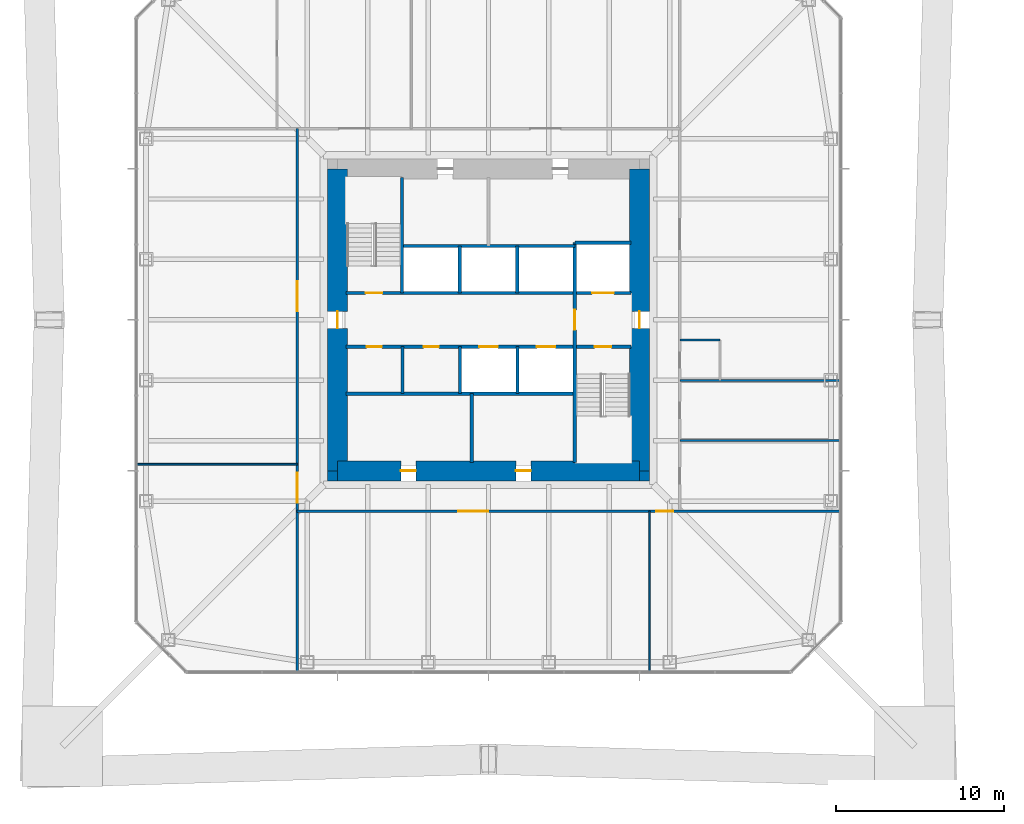
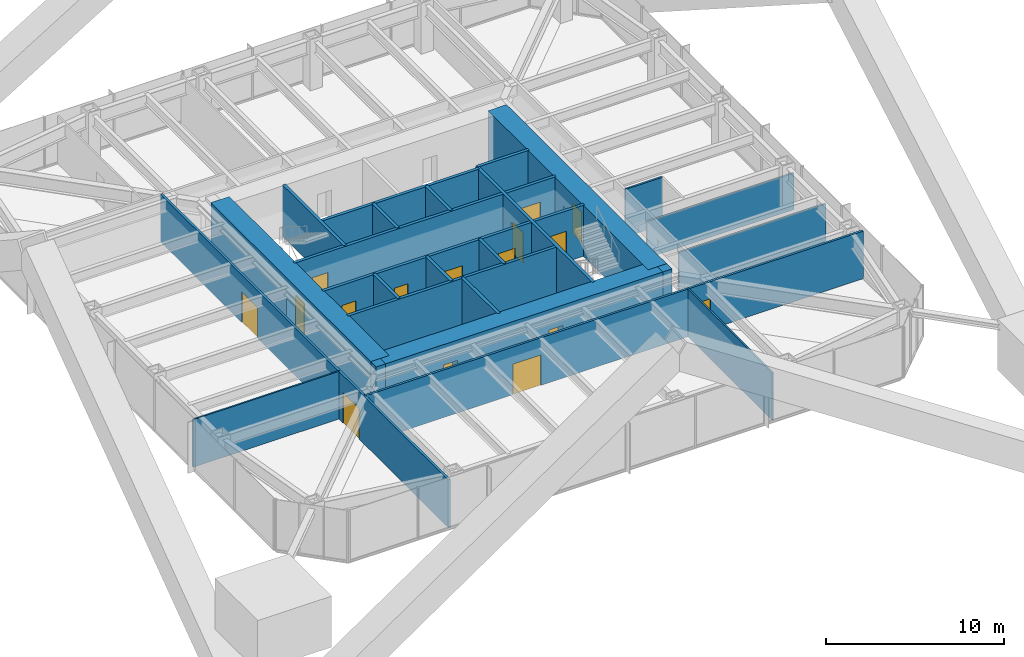
# One storey, part 12 of 21: 25 walls, 16 doors, 16 openings.
"""IFC4 building model written with IfcOpenShell, lengths in metres."""

from ifc_helpers import new_model, si_unit, direction, frame, frame_2d, origin, place, context, subcontext, project, spatial, rectangle, extrude, material, layer, layer_set, type_object, element, fill, save


model = new_model("IFC4")

# Units and contexts
model_context = context("Model", 3, precision=1e-05, world=origin(), true_north=direction((0.0, 1.0)))
body_context = subcontext(model_context, "Body", "Model", "MODEL_VIEW")
ifc_project = project(units=[si_unit("LENGTHUNIT", "METRE"), si_unit("AREAUNIT", "SQUARE_METRE"), si_unit("VOLUMEUNIT", "CUBIC_METRE"), si_unit("PLANEANGLEUNIT", "RADIAN"), si_unit("MASSUNIT", "GRAM", prefix="KILO")], contexts=[model_context])

# Site, building, storey
site_placement = place(None, origin())
site = spatial("IfcSite", under=ifc_project, at=site_placement, CompositionType="ELEMENT")
building_placement = place(site_placement, origin())
building = spatial("IfcBuilding", under=site, at=building_placement, Name="Iwan Alto Co-Living Towers", CompositionType="ELEMENT")
storey_placement = place(building_placement, frame((0.0, 0.0, 80.5)))
storey = spatial("IfcBuildingStorey", under=building, at=storey_placement, Name="L21", CompositionType="ELEMENT", Elevation=80.5)

# Wall, openings, doors
ifc_material_1 = material(Name="Gypsum board")
ifc_layer_1 = layer(ifc_material_1, 0.02490234375, Name="Board", Category="Finish")
ifc_material_2 = material(Name="Steel ASTM A1003 ST33H cold-formed studs", Category="steel")
ifc_layer_2 = layer(ifc_material_2, 0.10009765625, Name="Studs", Category="Framing")
ifc_layer_3 = layer(ifc_material_1, 0.02490234375, Name="Board", Category="Finish")
ifc_layer_set_1 = layer_set([ifc_layer_1, ifc_layer_2, ifc_layer_3], Name="CORRIDOR WALL 150")
wall_type_1 = type_object("IfcWallType", Name="CORRIDOR WALL 150", PredefinedType="PARTITIONING", material=ifc_layer_set_1)
wall_1_placement = place(storey_placement, frame((-11.39990234375, -11.39990234375, 0.0), z_axis=(0.0, 0.0, 1.0), x_axis=(1.0, 0.0, 0.0)))
wall_1 = element("IfcWall", 1, at=wall_1_placement, inside=storey, type_object=wall_type_1, Name="Partition L21", PredefinedType="PARTITIONING", context=body_context, shape_type="SweptSolid", body=[
    extrude(rectangle(XDim=32.33984375, YDim=0.14990234375, at=frame_2d((16.169921875, 0.0))), origin(), (0.0, 0.0, 1.0), 3.27001953125),
])
opening_1_placement = place(wall_1_placement, frame((9.60009765625, 0.0, 0.0)))
opening_1 = element("IfcOpeningElement", 2, at=opening_1_placement, cuts=wall_1, Name="Opening D9", PredefinedType="OPENING", context=body_context, shape_type="SweptSolid", body=[
    extrude(rectangle(XDim=1.800048828125, YDim=2.10009765625, at=frame_2d((0.89990234375, 1.050048828125))), frame((0.0, 0.0849609375, 0.0), z_axis=(0.0, -1.0, 0.0), x_axis=(1.0, 0.0, 0.0)), (0.0, 0.0, 1.0), 0.169921875),
])
opening_2_placement = place(wall_1_placement, frame((21.39990234375, 0.0, 0.0)))
opening_2 = element("IfcOpeningElement", 3, at=opening_2_placement, cuts=wall_1, Name="Opening D3", PredefinedType="OPENING", context=body_context, shape_type="SweptSolid", body=[
    extrude(rectangle(XDim=1.0, YDim=2.10009765625, at=frame_2d((0.5, 1.050048828125))), frame((0.0, 0.0849609375, 0.0), z_axis=(0.0, -1.0, 0.0), x_axis=(1.0, 0.0, 0.0)), (0.0, 0.0, 1.0), 0.169921875),
])
ifc_material_3 = material(Name="Steel frame with timber leaf", Category="steel")
door_type_1 = type_object("IfcDoorType", Name="FLAT ENTRANCE DOOR FD30S 1000X2100", OperationType="SINGLE_SWING_LEFT", PredefinedType="DOOR", material=ifc_material_3)
door_1_placement = place(opening_2_placement, frame((1.0, 0.0, 0.0), z_axis=(0.0, 0.0, 1.0), x_axis=(-1.0, 0.0, 0.0)))
door_1 = element("IfcDoor", 4, at=door_1_placement, inside=storey, type_object=door_type_1, Name="Library door L21", OperationType="SINGLE_SWING_RIGHT", OverallHeight=2.10009765625, OverallWidth=1.0, PredefinedType="DOOR", context=body_context, shape_type="SweptSolid", body=[
    extrude(rectangle(XDim=1.0, YDim=2.10009765625, at=frame_2d((0.5, 1.050048828125))), frame((0.0, 0.02490234375, 0.0), z_axis=(0.0, -1.0, 0.0), x_axis=(1.0, 0.0, 0.0)), (0.0, 0.0, 1.0), 0.050048828125),
])
fill(opening_2, door_1)
ifc_material_4 = material(Name="Steel frame with timber leaf", Category="steel")
door_type_2 = type_object("IfcDoorType", Name="LOUNGE DOOR FD30S 1800X2100", OperationType="DOUBLE_DOOR_SINGLE_SWING", PredefinedType="DOOR", material=ifc_material_4)
door_2_placement = place(opening_1_placement, frame((1.800048828125, 0.0, 0.0), z_axis=(0.0, 0.0, 1.0), x_axis=(-1.0, 0.0, 0.0)))
door_2 = element("IfcDoor", 5, at=door_2_placement, inside=storey, type_object=door_type_2, Name="Social sky lounge door L21", OperationType="DOUBLE_DOOR_SINGLE_SWING", OverallHeight=2.10009765625, OverallWidth=1.800048828125, PredefinedType="DOOR", context=body_context, shape_type="SweptSolid", body=[
    extrude(rectangle(XDim=1.800048828125, YDim=2.10009765625, at=frame_2d((0.89990234375, 1.050048828125))), frame((0.0, 0.02490234375, 0.0), z_axis=(0.0, -1.0, 0.0), x_axis=(1.0, 0.0, 0.0)), (0.0, 0.0, 1.0), 0.050048828125),
])
fill(opening_1, door_2)

wall_2_placement = place(storey_placement, frame((-11.39990234375, -20.93994140625, 0.0), z_axis=(0.0, 0.0, 1.0), x_axis=(0.0, 1.0, 0.0)))
wall_2 = element("IfcWall", 6, at=wall_2_placement, inside=storey, type_object=wall_type_1, Name="Partition L21", PredefinedType="PARTITIONING", context=body_context, shape_type="SweptSolid", body=[
    extrude(rectangle(XDim=32.33984375, YDim=0.14990234375, at=frame_2d((16.169921875, 0.0))), origin(), (0.0, 0.0, 1.0), 3.27001953125),
])
opening_3_placement = place(wall_2_placement, frame((21.43994140625, 0.0, 0.0)))
opening_3 = element("IfcOpeningElement", 7, at=opening_3_placement, cuts=wall_2, Name="Opening D9", PredefinedType="OPENING", context=body_context, shape_type="SweptSolid", body=[
    extrude(rectangle(XDim=1.800048828125, YDim=2.10009765625, at=frame_2d((0.89990234375, 1.050048828125))), frame((0.0, 0.0849609375, 0.0), z_axis=(0.0, -1.0, 0.0), x_axis=(1.0, 0.0, 0.0)), (0.0, 0.0, 1.0), 0.169921875),
])
opening_4_placement = place(wall_2_placement, frame((10.0400390625, 0.0, 0.0)))
opening_4 = element("IfcOpeningElement", 8, at=opening_4_placement, cuts=wall_2, Name="Opening D9", PredefinedType="OPENING", context=body_context, shape_type="SweptSolid", body=[
    extrude(rectangle(XDim=1.800048828125, YDim=2.10009765625, at=frame_2d((0.89990234375, 1.050048828125))), frame((0.0, 0.0849609375, 0.0), z_axis=(0.0, -1.0, 0.0), x_axis=(1.0, 0.0, 0.0)), (0.0, 0.0, 1.0), 0.169921875),
])
door_3_placement = place(opening_3_placement, origin())
door_3 = element("IfcDoor", 9, at=door_3_placement, inside=storey, type_object=door_type_2, Name="Residents' dining room door L21", OperationType="DOUBLE_DOOR_SINGLE_SWING", OverallHeight=2.10009765625, OverallWidth=1.800048828125, PredefinedType="DOOR", context=body_context, shape_type="SweptSolid", body=[
    extrude(rectangle(XDim=1.800048828125, YDim=2.10009765625, at=frame_2d((0.89990234375, 1.050048828125))), frame((0.0, 0.02490234375, 0.0), z_axis=(0.0, -1.0, 0.0), x_axis=(1.0, 0.0, 0.0)), (0.0, 0.0, 1.0), 0.050048828125),
])
fill(opening_3, door_3)
door_4_placement = place(opening_4_placement, origin())
door_4 = element("IfcDoor", 10, at=door_4_placement, inside=storey, type_object=door_type_2, Name="Shared kitchen door L21", OperationType="DOUBLE_DOOR_SINGLE_SWING", OverallHeight=2.10009765625, OverallWidth=1.800048828125, PredefinedType="DOOR", context=body_context, shape_type="SweptSolid", body=[
    extrude(rectangle(XDim=1.800048828125, YDim=2.10009765625, at=frame_2d((0.89990234375, 1.050048828125))), frame((0.0, 0.02490234375, 0.0), z_axis=(0.0, -1.0, 0.0), x_axis=(1.0, 0.0, 0.0)), (0.0, 0.0, 1.0), 0.050048828125),
])
fill(opening_4, door_4)

# Walls
ifc_layer_4 = layer(ifc_material_1, 0.012451171875, Name="Board", Category="Finish")
ifc_layer_5 = layer(ifc_material_2, 0.074951171875, Name="Studs", Category="Framing")
ifc_layer_6 = layer(ifc_material_1, 0.012451171875, Name="Board", Category="Finish")
ifc_layer_set_2 = layer_set([ifc_layer_4, ifc_layer_5, ifc_layer_6], Name="PARTITION 100")
wall_type_2 = type_object("IfcWallType", Name="PARTITION 100", PredefinedType="PARTITIONING", material=ifc_layer_set_2)
for number, where, z_axis, x_axis, name in (
    (11, (-20.93994140625, -8.60009765625, 0.0), (0.0, 0.0, 1.0), (1.0, 0.0, 0.0), "Partition L21"),
    (12, (9.60009765625, -20.93994140625, 0.0), (0.0, 0.0, 1.0), (0.0, 1.0, 0.0), "Partition L21"),
):
    element("IfcWall", number, at=place(storey_placement, frame(where, z_axis=z_axis, x_axis=x_axis)), inside=storey, type_object=wall_type_2, Name=name, PredefinedType="PARTITIONING", context=body_context, shape_type="SweptSolid", body=[
        extrude(rectangle(XDim=9.5400390625, YDim=0.10009765625, at=frame_2d((4.77001953125, 0.0))), origin(), (0.0, 0.0, 1.0), 3.27001953125),
    ])
ifc_material_5 = material(Name="Concrete f'c 70 MPa", Category="concrete")
ifc_layer_7 = layer(ifc_material_5, 0.199951171875)
ifc_layer_set_3 = layer_set([ifc_layer_7], Name="SHAFT WALL 200")
wall_type_3 = type_object("IfcWallType", Name="SHAFT WALL 200", PredefinedType="SOLIDWALL", material=ifc_layer_set_3)
wall_3_placement = place(storey_placement, frame((-8.489990234375, -4.39990234375, 0.0), z_axis=(0.0, 0.0, 1.0), x_axis=(1.0, 0.0, 0.0)))
element("IfcWall", 13, at=wall_3_placement, inside=storey, type_object=wall_type_3, Name="Shaft wall L21", PredefinedType="SOLIDWALL", context=body_context, shape_type="SweptSolid", body=[
    extrude(rectangle(XDim=13.639892578125, YDim=0.199951171875, at=frame_2d((6.81982421875, 0.0))), origin(), (0.0, 0.0, 1.0), 3.5),
])

# Wall, openings, doors
wall_4_placement = place(storey_placement, frame((-8.489990234375, -1.60009765625, 0.0), z_axis=(0.0, 0.0, 1.0), x_axis=(1.0, 0.0, 0.0)))
wall_4 = element("IfcWall", 14, at=wall_4_placement, inside=storey, type_object=wall_type_3, Name="Shaft wall L21", PredefinedType="SOLIDWALL", context=body_context, shape_type="SweptSolid", body=[
    extrude(rectangle(XDim=16.97998046875, YDim=0.199951171875, at=frame_2d((8.489990234375, 0.0))), origin(), (0.0, 0.0, 1.0), 3.5),
])
opening_5_placement = place(wall_4_placement, frame((14.81005859375, 0.0, 0.0)))
opening_5 = element("IfcOpeningElement", 15, at=opening_5_placement, cuts=wall_4, Name="Opening D5", PredefinedType="OPENING", context=body_context, shape_type="SweptSolid", body=[
    extrude(rectangle(XDim=1.0, YDim=2.10009765625, at=frame_2d((0.5, 1.050048828125))), frame((0.0, 0.10986328125, 0.0), z_axis=(0.0, -1.0, 0.0), x_axis=(1.0, 0.0, 0.0)), (0.0, 0.0, 1.0), 0.219970703125),
])
opening_6_placement = place(wall_4_placement, frame((1.23193359375, 0.0, 0.0)))
opening_6 = element("IfcOpeningElement", 16, at=opening_6_placement, cuts=wall_4, Name="Opening D15", PredefinedType="OPENING", context=body_context, shape_type="SweptSolid", body=[
    extrude(rectangle(XDim=0.89990234375, YDim=2.10009765625, at=frame_2d((0.449951171875, 1.050048828125))), frame((0.0, 0.10986328125, 0.0), z_axis=(0.0, -1.0, 0.0), x_axis=(1.0, 0.0, 0.0)), (0.0, 0.0, 1.0), 0.219970703125),
])
opening_7_placement = place(wall_4_placement, frame((4.626953125, 0.0, 0.0)))
opening_7 = element("IfcOpeningElement", 17, at=opening_7_placement, cuts=wall_4, Name="Opening D15", PredefinedType="OPENING", context=body_context, shape_type="SweptSolid", body=[
    extrude(rectangle(XDim=0.89990234375, YDim=2.10009765625, at=frame_2d((0.449951171875, 1.050048828125))), frame((0.0, 0.10986328125, 0.0), z_axis=(0.0, -1.0, 0.0), x_axis=(1.0, 0.0, 0.0)), (0.0, 0.0, 1.0), 0.219970703125),
])
opening_8_placement = place(wall_4_placement, frame((7.952880859375, 0.0, 0.0)))
opening_8 = element("IfcOpeningElement", 18, at=opening_8_placement, cuts=wall_4, Name="Opening LD", PredefinedType="OPENING", context=body_context, shape_type="SweptSolid", body=[
    extrude(rectangle(XDim=1.10009765625, YDim=2.10009765625, at=frame_2d((0.550048828125, 1.050048828125))), frame((0.0, 0.10986328125, 0.0), z_axis=(0.0, -1.0, 0.0), x_axis=(1.0, 0.0, 0.0)), (0.0, 0.0, 1.0), 0.219970703125),
])
opening_9_placement = place(wall_4_placement, frame((11.3779296875, 0.0, 0.0)))
opening_9 = element("IfcOpeningElement", 19, at=opening_9_placement, cuts=wall_4, Name="Opening LD", PredefinedType="OPENING", context=body_context, shape_type="SweptSolid", body=[
    extrude(rectangle(XDim=1.10009765625, YDim=2.10009765625, at=frame_2d((0.550048828125, 1.050048828125))), frame((0.0, 0.10986328125, 0.0), z_axis=(0.0, -1.0, 0.0), x_axis=(1.0, 0.0, 0.0)), (0.0, 0.0, 1.0), 0.219970703125),
])
ifc_material_6 = material(Name="Steel frame with timber leaf", Category="steel")
door_type_3 = type_object("IfcDoorType", Name="CORE ROOM DOOR FD60S 900X2100", OperationType="SINGLE_SWING_LEFT", PredefinedType="DOOR", material=ifc_material_6)
door_5_placement = place(opening_6_placement, frame((0.89990234375, 0.0, 0.0), z_axis=(0.0, 0.0, 1.0), x_axis=(-1.0, 0.0, 0.0)))
door_5 = element("IfcDoor", 20, at=door_5_placement, inside=storey, type_object=door_type_3, Name="Guest pantry door L21", OperationType="SINGLE_SWING_LEFT", OverallHeight=2.10009765625, OverallWidth=0.89990234375, PredefinedType="DOOR", context=body_context, shape_type="SweptSolid", body=[
    extrude(rectangle(XDim=0.89990234375, YDim=2.10009765625, at=frame_2d((0.449951171875, 1.050048828125))), frame((0.0, 0.02490234375, 0.0), z_axis=(0.0, -1.0, 0.0), x_axis=(1.0, 0.0, 0.0)), (0.0, 0.0, 1.0), 0.050048828125),
])
fill(opening_6, door_5)
door_6_placement = place(opening_7_placement, frame((0.89990234375, 0.0, 0.0), z_axis=(0.0, 0.0, 1.0), x_axis=(-1.0, 0.0, 0.0)))
door_6 = element("IfcDoor", 21, at=door_6_placement, inside=storey, type_object=door_type_3, Name="Bulk store door L21", OperationType="SINGLE_SWING_RIGHT", OverallHeight=2.10009765625, OverallWidth=0.89990234375, PredefinedType="DOOR", context=body_context, shape_type="SweptSolid", body=[
    extrude(rectangle(XDim=0.89990234375, YDim=2.10009765625, at=frame_2d((0.449951171875, 1.050048828125))), frame((0.0, 0.02490234375, 0.0), z_axis=(0.0, -1.0, 0.0), x_axis=(1.0, 0.0, 0.0)), (0.0, 0.0, 1.0), 0.050048828125),
])
fill(opening_7, door_6)
ifc_material_7 = material(Name="Steel frame with timber leaf", Category="steel")
door_type_4 = type_object("IfcDoorType", Name="LIFT LANDING DOOR 1100X2100", OperationType="DOUBLE_DOOR_SLIDING", PredefinedType="DOOR", material=ifc_material_7)
door_7_placement = place(opening_8_placement, origin())
door_7 = element("IfcDoor", 22, at=door_7_placement, inside=storey, type_object=door_type_4, Name="Lift P2-3 landing door L21", OperationType="DOUBLE_DOOR_SLIDING", OverallHeight=2.10009765625, OverallWidth=1.10009765625, PredefinedType="DOOR", context=body_context, shape_type="SweptSolid", body=[
    extrude(rectangle(XDim=1.10009765625, YDim=2.10009765625, at=frame_2d((0.550048828125, 1.050048828125))), frame((0.0, 0.02490234375, 0.0), z_axis=(0.0, -1.0, 0.0), x_axis=(1.0, 0.0, 0.0)), (0.0, 0.0, 1.0), 0.050048828125),
])
fill(opening_8, door_7)
door_8_placement = place(opening_9_placement, origin())
door_8 = element("IfcDoor", 23, at=door_8_placement, inside=storey, type_object=door_type_4, Name="Lift P2-4 landing door L21", OperationType="DOUBLE_DOOR_SLIDING", OverallHeight=2.10009765625, OverallWidth=1.10009765625, PredefinedType="DOOR", context=body_context, shape_type="SweptSolid", body=[
    extrude(rectangle(XDim=1.10009765625, YDim=2.10009765625, at=frame_2d((0.550048828125, 1.050048828125))), frame((0.0, 0.02490234375, 0.0), z_axis=(0.0, -1.0, 0.0), x_axis=(1.0, 0.0, 0.0)), (0.0, 0.0, 1.0), 0.050048828125),
])
fill(opening_9, door_8)
ifc_material_8 = material(Name="Steel frame with timber leaf", Category="steel")
door_type_5 = type_object("IfcDoorType", Name="STAIR DOOR FD120S 1000X2100", OperationType="SINGLE_SWING_LEFT", PredefinedType="DOOR", material=ifc_material_8)
door_9_placement = place(opening_5_placement, frame((1.0, 0.0, 0.0), z_axis=(0.0, 0.0, 1.0), x_axis=(-1.0, 0.0, 0.0)))
door_9 = element("IfcDoor", 24, at=door_9_placement, inside=storey, type_object=door_type_5, Name="Stair S2 door L21", OperationType="SINGLE_SWING_RIGHT", OverallHeight=2.10009765625, OverallWidth=1.0, PredefinedType="DOOR", context=body_context, shape_type="SweptSolid", body=[
    extrude(rectangle(XDim=1.0, YDim=2.10009765625, at=frame_2d((0.5, 1.050048828125))), frame((0.0, 0.02490234375, 0.0), z_axis=(0.0, -1.0, 0.0), x_axis=(1.0, 0.0, 0.0)), (0.0, 0.0, 1.0), 0.050048828125),
])
fill(opening_5, door_9)

wall_5_placement = place(storey_placement, frame((-8.489990234375, 1.60009765625, 0.0), z_axis=(0.0, 0.0, 1.0), x_axis=(1.0, 0.0, 0.0)))
wall_5 = element("IfcWall", 25, at=wall_5_placement, inside=storey, type_object=wall_type_3, Name="Shaft wall L21", PredefinedType="SOLIDWALL", context=body_context, shape_type="SweptSolid", body=[
    extrude(rectangle(XDim=16.97998046875, YDim=0.199951171875, at=frame_2d((8.489990234375, 0.0))), origin(), (0.0, 0.0, 1.0), 3.5),
])
opening_10_placement = place(wall_5_placement, frame((1.169921875, 0.0, 0.0)))
opening_10 = element("IfcOpeningElement", 26, at=opening_10_placement, cuts=wall_5, Name="Opening D5", PredefinedType="OPENING", context=body_context, shape_type="SweptSolid", body=[
    extrude(rectangle(XDim=1.0, YDim=2.10009765625, at=frame_2d((0.5, 1.050048828125))), frame((0.0, 0.10986328125, 0.0), z_axis=(0.0, -1.0, 0.0), x_axis=(1.0, 0.0, 0.0)), (0.0, 0.0, 1.0), 0.219970703125),
])
opening_11_placement = place(wall_5_placement, frame((14.659912109375, 0.0, 0.0)))
opening_11 = element("IfcOpeningElement", 27, at=opening_11_placement, cuts=wall_5, Name="Opening LD2", PredefinedType="OPENING", context=body_context, shape_type="SweptSolid", body=[
    extrude(rectangle(XDim=1.300048828125, YDim=2.10009765625, at=frame_2d((0.64990234375, 1.050048828125))), frame((0.0, 0.10986328125, 0.0), z_axis=(0.0, -1.0, 0.0), x_axis=(1.0, 0.0, 0.0)), (0.0, 0.0, 1.0), 0.219970703125),
])
ifc_material_9 = material(Name="Steel frame with timber leaf", Category="steel")
door_type_6 = type_object("IfcDoorType", Name="LIFT LANDING DOOR 1300X2100", OperationType="SLIDING_TO_LEFT", PredefinedType="DOOR", material=ifc_material_9)
door_10_placement = place(opening_11_placement, origin())
door_10 = element("IfcDoor", 28, at=door_10_placement, inside=storey, type_object=door_type_6, Name="Lift FL1 landing door L21", OperationType="SLIDING_TO_LEFT", OverallHeight=2.10009765625, OverallWidth=1.300048828125, PredefinedType="DOOR", context=body_context, shape_type="SweptSolid", body=[
    extrude(rectangle(XDim=1.300048828125, YDim=2.10009765625, at=frame_2d((0.64990234375, 1.050048828125))), frame((0.0, 0.02490234375, 0.0), z_axis=(0.0, -1.0, 0.0), x_axis=(1.0, 0.0, 0.0)), (0.0, 0.0, 1.0), 0.050048828125),
])
fill(opening_11, door_10)
door_11_placement = place(opening_10_placement, origin())
door_11 = element("IfcDoor", 29, at=door_11_placement, inside=storey, type_object=door_type_5, Name="Stair S1 door L21", OperationType="SINGLE_SWING_RIGHT", OverallHeight=2.10009765625, OverallWidth=1.0, PredefinedType="DOOR", context=body_context, shape_type="SweptSolid", body=[
    extrude(rectangle(XDim=1.0, YDim=2.10009765625, at=frame_2d((0.5, 1.050048828125))), frame((0.0, 0.02490234375, 0.0), z_axis=(0.0, -1.0, 0.0), x_axis=(1.0, 0.0, 0.0)), (0.0, 0.0, 1.0), 0.050048828125),
])
fill(opening_10, door_11)

# Walls
wall_6_placement = place(storey_placement, frame((-5.14990234375, 4.39990234375, 0.0), z_axis=(0.0, 0.0, 1.0), x_axis=(1.0, 0.0, 0.0)))
element("IfcWall", 30, at=wall_6_placement, inside=storey, type_object=wall_type_3, Name="Shaft wall L21", PredefinedType="SOLIDWALL", context=body_context, shape_type="SweptSolid", body=[
    extrude(rectangle(XDim=10.2998046875, YDim=0.199951171875, at=frame_2d((5.14990234375, 0.0))), origin(), (0.0, 0.0, 1.0), 3.5),
])
wall_7_placement = place(storey_placement, frame((5.14990234375, 4.60009765625, 0.0), z_axis=(0.0, 0.0, 1.0), x_axis=(1.0, 0.0, 0.0)))
element("IfcWall", 31, at=wall_7_placement, inside=storey, type_object=wall_type_3, Name="Shaft wall L21", PredefinedType="SOLIDWALL", context=body_context, shape_type="SweptSolid", body=[
    extrude(rectangle(XDim=3.340087890625, YDim=0.199951171875, at=frame_2d((1.669921875, 0.0))), origin(), (0.0, 0.0, 1.0), 3.5),
])

# Wall, opening, door
wall_8_placement = place(storey_placement, frame((5.14990234375, -8.489990234375, 0.0), z_axis=(0.0, 0.0, 1.0), x_axis=(0.0, 1.0, 0.0)))
wall_8 = element("IfcWall", 32, at=wall_8_placement, inside=storey, type_object=wall_type_3, Name="Shaft wall L21", PredefinedType="SOLIDWALL", context=body_context, shape_type="SweptSolid", body=[
    extrude(rectangle(XDim=13.090087890625, YDim=0.199951171875, at=frame_2d((6.544921875, 0.0))), origin(), (0.0, 0.0, 1.0), 3.5),
])
opening_12_placement = place(wall_8_placement, frame((7.889892578125, 0.0, 0.0)))
opening_12 = element("IfcOpeningElement", 33, at=opening_12_placement, cuts=wall_8, Name="Opening D6", PredefinedType="OPENING", context=body_context, shape_type="SweptSolid", body=[
    extrude(rectangle(XDim=1.199951171875, YDim=2.10009765625, at=frame_2d((0.60009765625, 1.050048828125))), frame((0.0, 0.10986328125, 0.0), z_axis=(0.0, -1.0, 0.0), x_axis=(1.0, 0.0, 0.0)), (0.0, 0.0, 1.0), 0.219970703125),
])
ifc_material_10 = material(Name="Steel frame with timber leaf", Category="steel")
door_type_7 = type_object("IfcDoorType", Name="LOBBY DOOR FD120S 1200X2100", OperationType="SINGLE_SWING_LEFT", PredefinedType="DOOR", material=ifc_material_10)
door_12_placement = place(opening_12_placement, frame((1.199951171875, 0.0, 0.0), z_axis=(0.0, 0.0, 1.0), x_axis=(-1.0, 0.0, 0.0)))
door_12 = element("IfcDoor", 34, at=door_12_placement, inside=storey, type_object=door_type_7, Name="Firefighting lobby door L21", OperationType="SINGLE_SWING_RIGHT", OverallHeight=2.10009765625, OverallWidth=1.199951171875, PredefinedType="DOOR", context=body_context, shape_type="SweptSolid", body=[
    extrude(rectangle(XDim=1.199951171875, YDim=2.10009765625, at=frame_2d((0.60009765625, 1.050048828125))), frame((0.0, 0.02490234375, 0.0), z_axis=(0.0, -1.0, 0.0), x_axis=(1.0, 0.0, 0.0)), (0.0, 0.0, 1.0), 0.050048828125),
])
fill(opening_12, door_12)

# Walls
for number, where, z_axis, x_axis, name in (
    (35, (1.72509765625, -4.39990234375, 0.0), (0.0, 0.0, 1.0), (0.0, 1.0, 0.0), "Shaft wall L21"),
    (36, (1.717041015625, 1.60009765625, 0.0), (0.0, 0.0, 1.0), (0.0, 1.0, 0.0), "Shaft wall L21"),
):
    element("IfcWall", number, at=place(storey_placement, frame(where, z_axis=z_axis, x_axis=x_axis)), inside=storey, type_object=wall_type_3, Name=name, PredefinedType="SOLIDWALL", context=body_context, shape_type="SweptSolid", body=[
        extrude(rectangle(XDim=2.7998046875, YDim=0.199951171875, at=frame_2d((1.39990234375, 0.0))), origin(), (0.0, 0.0, 1.0), 3.5),
    ])
wall_9_placement = place(storey_placement, frame((-1.0, -8.489990234375, 0.0), z_axis=(0.0, 0.0, 1.0), x_axis=(0.0, 1.0, 0.0)))
element("IfcWall", 37, at=wall_9_placement, inside=storey, type_object=wall_type_3, Name="Shaft wall L21", PredefinedType="SOLIDWALL", context=body_context, shape_type="SweptSolid", body=[
    extrude(rectangle(XDim=4.090087890625, YDim=0.199951171875, at=frame_2d((2.044921875, 0.0))), origin(), (0.0, 0.0, 1.0), 3.5),
])
for number, where, z_axis, x_axis, name in (
    (38, (-1.699951171875, -4.39990234375, 0.0), (0.0, 0.0, 1.0), (0.0, 1.0, 0.0), "Shaft wall L21"),
    (39, (-1.717041015625, 1.60009765625, 0.0), (0.0, 0.0, 1.0), (0.0, 1.0, 0.0), "Shaft wall L21"),
    (40, (-5.125, -4.39990234375, 0.0), (0.0, 0.0, 1.0), (0.0, 1.0, 0.0), "Shaft wall L21"),
):
    element("IfcWall", number, at=place(storey_placement, frame(where, z_axis=z_axis, x_axis=x_axis)), inside=storey, type_object=wall_type_3, Name=name, PredefinedType="SOLIDWALL", context=body_context, shape_type="SweptSolid", body=[
        extrude(rectangle(XDim=2.7998046875, YDim=0.199951171875, at=frame_2d((1.39990234375, 0.0))), origin(), (0.0, 0.0, 1.0), 3.5),
    ])
wall_10_placement = place(storey_placement, frame((-5.14990234375, 1.60009765625, 0.0), z_axis=(0.0, 0.0, 1.0), x_axis=(0.0, 1.0, 0.0)))
element("IfcWall", 41, at=wall_10_placement, inside=storey, type_object=wall_type_3, Name="Shaft wall L21", PredefinedType="SOLIDWALL", context=body_context, shape_type="SweptSolid", body=[
    extrude(rectangle(XDim=6.889892578125, YDim=0.199951171875, at=frame_2d((3.44482421875, 0.0))), origin(), (0.0, 0.0, 1.0), 3.5),
])
ifc_material_11 = material(Name="Concrete f'c 70 MPa", Category="concrete")
ifc_layer_8 = layer(ifc_material_11, 0.60009765625)
ifc_layer_set_4 = layer_set([ifc_layer_8], Name="T1 CORE CORNER FILL 600")
wall_type_4 = type_object("IfcWallType", Name="T1 CORE CORNER FILL 600", PredefinedType="SOLIDWALL", material=ifc_layer_set_4)
for number, where, z_axis, x_axis, name in (
    (42, (-9.60009765625, -9.300048828125, 0.0), (0.0, 0.0, 1.0), (1.0, 0.0, 0.0), "T1 core corner SW L21"),
    (43, (9.0, -9.300048828125, 0.0), (0.0, 0.0, 1.0), (1.0, 0.0, 0.0), "T1 core corner SE L21"),
):
    element("IfcWall", number, at=place(storey_placement, frame(where, z_axis=z_axis, x_axis=x_axis)), inside=storey, type_object=wall_type_4, Name=name, PredefinedType="SOLIDWALL", context=body_context, shape_type="SweptSolid", body=[
        extrude(rectangle(XDim=0.60009765625, YDim=0.60009765625, at=frame_2d((0.300048828125, 0.0))), origin(), (0.0, 0.0, 1.0), 3.5),
    ])

# Wall, openings, doors
ifc_material_12 = material(Name="Concrete f'c 70 MPa", Category="concrete")
ifc_layer_9 = layer(ifc_material_12, 1.199951171875)
ifc_layer_set_5 = layer_set([ifc_layer_9], Name="T1 CORE WALL 1200")
wall_type_5 = type_object("IfcWallType", Name="T1 CORE WALL 1200", PredefinedType="SHEAR", material=ifc_layer_set_5)
wall_11_placement = place(storey_placement, frame((-9.0, -9.0, 0.0), z_axis=(0.0, 0.0, 1.0), x_axis=(1.0, 0.0, 0.0)))
wall_11 = element("IfcWall", 44, at=wall_11_placement, inside=storey, type_object=wall_type_5, Name="T1 core wall S L21", PredefinedType="SHEAR", context=body_context, shape_type="SweptSolid", body=[
    extrude(rectangle(XDim=18.0, YDim=1.199951171875, at=frame_2d((9.0, 0.0))), origin(), (0.0, 0.0, 1.0), 3.5),
])
opening_13_placement = place(wall_11_placement, frame((3.77490234375, 0.0, 0.0)))
opening_13 = element("IfcOpeningElement", 45, at=opening_13_placement, cuts=wall_11, Name="Opening D8", PredefinedType="OPENING", context=body_context, shape_type="SweptSolid", body=[
    extrude(rectangle(XDim=0.89990234375, YDim=2.10009765625, at=frame_2d((0.449951171875, 1.050048828125))), frame((0.0, 0.60986328125, 0.0), z_axis=(0.0, -1.0, 0.0), x_axis=(1.0, 0.0, 0.0)), (0.0, 0.0, 1.0), 1.219970703125),
])
opening_14_placement = place(wall_11_placement, frame((10.625, 0.0, 0.0)))
opening_14 = element("IfcOpeningElement", 46, at=opening_14_placement, cuts=wall_11, Name="Opening D8", PredefinedType="OPENING", context=body_context, shape_type="SweptSolid", body=[
    extrude(rectangle(XDim=0.89990234375, YDim=2.10009765625, at=frame_2d((0.449951171875, 1.050048828125))), frame((0.0, 0.60986328125, 0.0), z_axis=(0.0, -1.0, 0.0), x_axis=(1.0, 0.0, 0.0)), (0.0, 0.0, 1.0), 1.219970703125),
])
ifc_material_13 = material(Name="Steel frame with timber leaf", Category="steel")
door_type_8 = type_object("IfcDoorType", Name="RISER DOOR FD120 900X2100", OperationType="SINGLE_SWING_LEFT", PredefinedType="DOOR", material=ifc_material_13)
door_13_placement = place(opening_13_placement, origin())
door_13 = element("IfcDoor", 47, at=door_13_placement, inside=storey, type_object=door_type_8, Name="Refuse room core door L21", OperationType="SINGLE_SWING_LEFT", OverallHeight=2.10009765625, OverallWidth=0.89990234375, PredefinedType="DOOR", context=body_context, shape_type="SweptSolid", body=[
    extrude(rectangle(XDim=0.89990234375, YDim=2.10009765625, at=frame_2d((0.449951171875, 1.050048828125))), frame((0.0, 0.02490234375, 0.0), z_axis=(0.0, -1.0, 0.0), x_axis=(1.0, 0.0, 0.0)), (0.0, 0.0, 1.0), 0.050048828125),
])
fill(opening_13, door_13)
door_14_placement = place(opening_14_placement, origin())
door_14 = element("IfcDoor", 48, at=door_14_placement, inside=storey, type_object=door_type_8, Name="Telecom riser core door L21", OperationType="SINGLE_SWING_LEFT", OverallHeight=2.10009765625, OverallWidth=0.89990234375, PredefinedType="DOOR", context=body_context, shape_type="SweptSolid", body=[
    extrude(rectangle(XDim=0.89990234375, YDim=2.10009765625, at=frame_2d((0.449951171875, 1.050048828125))), frame((0.0, 0.02490234375, 0.0), z_axis=(0.0, -1.0, 0.0), x_axis=(1.0, 0.0, 0.0)), (0.0, 0.0, 1.0), 0.050048828125),
])
fill(opening_14, door_14)

# Wall, opening, door
wall_12_placement = place(storey_placement, frame((9.0, -9.0, 0.0), z_axis=(0.0, 0.0, 1.0), x_axis=(0.0, 1.0, 0.0)))
wall_12 = element("IfcWall", 49, at=wall_12_placement, inside=storey, type_object=wall_type_5, Name="T1 core wall E L21", PredefinedType="SHEAR", context=body_context, shape_type="SweptSolid", body=[
    extrude(rectangle(XDim=18.0, YDim=1.199951171875, at=frame_2d((9.0, 0.0))), origin(), (0.0, 0.0, 1.0), 3.5),
])
opening_15_placement = place(wall_12_placement, frame((8.5, 0.0, 0.0)))
opening_15 = element("IfcOpeningElement", 50, at=opening_15_placement, cuts=wall_12, Name="Opening D7", PredefinedType="OPENING", context=body_context, shape_type="SweptSolid", body=[
    extrude(rectangle(XDim=1.0, YDim=2.10009765625, at=frame_2d((0.5, 1.050048828125))), frame((0.0, 0.60986328125, 0.0), z_axis=(0.0, -1.0, 0.0), x_axis=(1.0, 0.0, 0.0)), (0.0, 0.0, 1.0), 1.219970703125),
])
ifc_material_14 = material(Name="Steel frame with timber leaf", Category="steel")
door_type_9 = type_object("IfcDoorType", Name="CORE DOOR FD120S 1000X2100", OperationType="SINGLE_SWING_LEFT", PredefinedType="DOOR", material=ifc_material_14)
door_15_placement = place(opening_15_placement, origin())
door_15 = element("IfcDoor", 51, at=door_15_placement, inside=storey, type_object=door_type_9, Name="Firefighting lobby core door L21", OperationType="SINGLE_SWING_LEFT", OverallHeight=2.10009765625, OverallWidth=1.0, PredefinedType="DOOR", context=body_context, shape_type="SweptSolid", body=[
    extrude(rectangle(XDim=1.0, YDim=2.10009765625, at=frame_2d((0.5, 1.050048828125))), frame((0.0, 0.02490234375, 0.0), z_axis=(0.0, -1.0, 0.0), x_axis=(1.0, 0.0, 0.0)), (0.0, 0.0, 1.0), 0.050048828125),
])
fill(opening_15, door_15)

wall_13_placement = place(storey_placement, frame((-9.0, 9.0, 0.0), z_axis=(0.0, 0.0, 1.0), x_axis=(0.0, -1.0, 0.0)))
wall_13 = element("IfcWall", 52, at=wall_13_placement, inside=storey, type_object=wall_type_5, Name="T1 core wall W L21", PredefinedType="SHEAR", context=body_context, shape_type="SweptSolid", body=[
    extrude(rectangle(XDim=18.0, YDim=1.199951171875, at=frame_2d((9.0, 0.0))), origin(), (0.0, 0.0, 1.0), 3.5),
])
opening_16_placement = place(wall_13_placement, frame((8.5, 0.0, 0.0)))
opening_16 = element("IfcOpeningElement", 53, at=opening_16_placement, cuts=wall_13, Name="Opening D7", PredefinedType="OPENING", context=body_context, shape_type="SweptSolid", body=[
    extrude(rectangle(XDim=1.0, YDim=2.10009765625, at=frame_2d((0.5, 1.050048828125))), frame((0.0, 0.60986328125, 0.0), z_axis=(0.0, -1.0, 0.0), x_axis=(1.0, 0.0, 0.0)), (0.0, 0.0, 1.0), 1.219970703125),
])
door_16_placement = place(opening_16_placement, origin())
door_16 = element("IfcDoor", 54, at=door_16_placement, inside=storey, type_object=door_type_9, Name="Lift lobby core door L21", OperationType="SINGLE_SWING_RIGHT", OverallHeight=2.10009765625, OverallWidth=1.0, PredefinedType="DOOR", context=body_context, shape_type="SweptSolid", body=[
    extrude(rectangle(XDim=1.0, YDim=2.10009765625, at=frame_2d((0.5, 1.050048828125))), frame((0.0, 0.02490234375, 0.0), z_axis=(0.0, -1.0, 0.0), x_axis=(1.0, 0.0, 0.0)), (0.0, 0.0, 1.0), 0.050048828125),
])
fill(opening_16, door_16)

# Walls
ifc_material_15 = material(Name="Cement board")
ifc_layer_10 = layer(ifc_material_15, 0.012451171875, Name="Board", Category="Finish")
ifc_layer_11 = layer(ifc_material_2, 0.094970703125, Name="Studs", Category="Framing")
ifc_layer_12 = layer(ifc_material_15, 0.012451171875, Name="Board", Category="Finish")
ifc_layer_set_6 = layer_set([ifc_layer_10, ifc_layer_11, ifc_layer_12], Name="WET AREA PARTITION 120")
wall_type_6 = type_object("IfcWallType", Name="WET AREA PARTITION 120", PredefinedType="PARTITIONING", material=ifc_layer_set_6)
wall_14_placement = place(storey_placement, frame((11.39990234375, -7.199951171875, 0.0), z_axis=(0.0, 0.0, 1.0), x_axis=(1.0, 0.0, 0.0)))
element("IfcWall", 55, at=wall_14_placement, inside=storey, type_object=wall_type_6, Name="Partition L21", PredefinedType="PARTITIONING", context=body_context, shape_type="SweptSolid", body=[
    extrude(rectangle(XDim=9.5400390625, YDim=0.1201171875, at=frame_2d((4.77001953125, 0.0))), origin(), (0.0, 0.0, 1.0), 2.586669921875),
])
wall_15_placement = place(storey_placement, frame((11.39990234375, -3.60009765625, 0.0), z_axis=(0.0, 0.0, 1.0), x_axis=(1.0, 0.0, 0.0)))
element("IfcWall", 56, at=wall_15_placement, inside=storey, type_object=wall_type_6, Name="Partition L21", PredefinedType="PARTITIONING", context=body_context, shape_type="SweptSolid", body=[
    extrude(rectangle(XDim=9.5400390625, YDim=0.1201171875, at=frame_2d((4.77001953125, 0.0))), origin(), (0.0, 0.0, 1.0), 2.508056640625),
])
wall_16_placement = place(storey_placement, frame((11.39990234375, -1.199951171875, 0.0), z_axis=(0.0, 0.0, 1.0), x_axis=(1.0, 0.0, 0.0)))
element("IfcWall", 57, at=wall_16_placement, inside=storey, type_object=wall_type_6, Name="Partition L21", PredefinedType="PARTITIONING", context=body_context, shape_type="SweptSolid", body=[
    extrude(rectangle(XDim=2.400146484375, YDim=0.1201171875, at=frame_2d((1.2001953125, 0.0))), origin(), (0.0, 0.0, 1.0), 3.27001953125),
])

save(model, "model.ifc")
